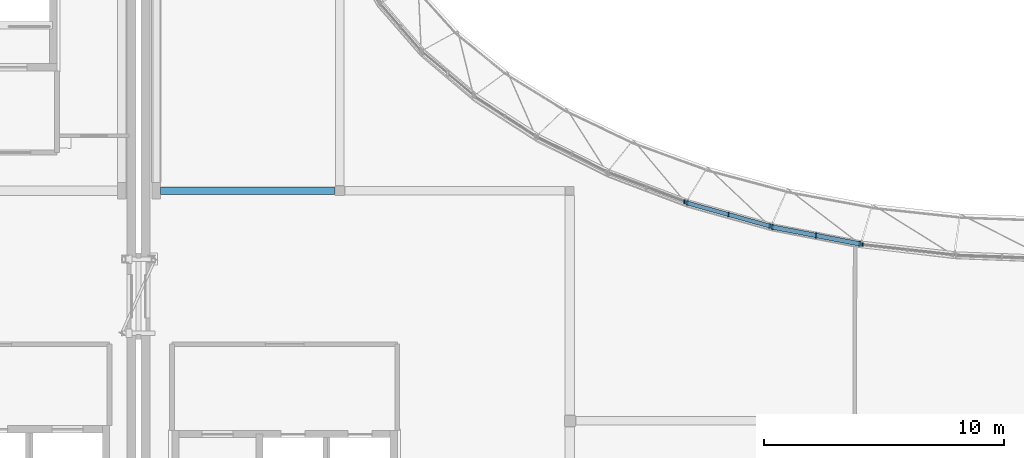
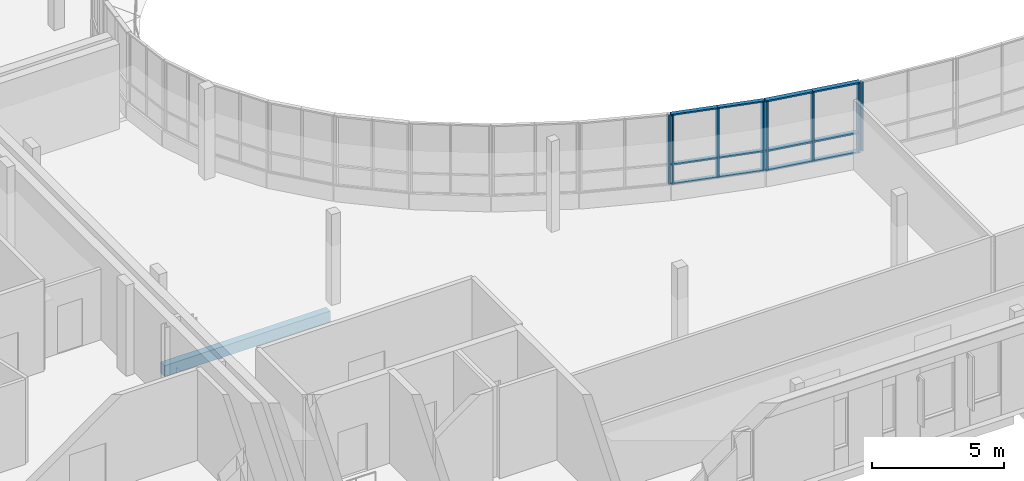
# One storey, part 10 of 73: 20 members, 1 beam, 4 elements without a shape of their own.
"""IFC4 building model written with IfcOpenShell, lengths in metres."""

import ifcopenshell
import ifcopenshell.guid

model = None  # the IFC model being written
_history = None  # IfcOwnerHistory: only IFC2X3 demands one
_inside = {}  # id of a spatial element -> (the spatial element, [elements in it])
_under = {}  # id of a project, library or spatial element -> (it, [spatial elements below it])
_declared = {}  # id of a project -> (the project, [libraries it declares])
_typed = {}  # id of a type object -> (the type object, [elements of that type])
_made_of = {}  # id of a material, layer set ... -> (it, [elements and type objects made of it])


def new_model(schema):
    """Start an empty IFC model of exactly this schema.

    Asked for "IFC4X3", IfcOpenShell would pick the latest addendum, in which some entities
    have other attributes; the version numbers below select the first issue.
    IFC2X3 requires an IfcOwnerHistory on every rooted entity: one is made here for all.
    """
    global model, _history
    if schema == "IFC4X3":
        model = ifcopenshell.file(schema_version=(4, 3, 0, 0))
    else:
        model = ifcopenshell.file(schema=schema)
    _inside.clear()
    _under.clear()
    _declared.clear()
    _typed.clear()
    _made_of.clear()
    _history = None
    if model.schema == "IFC2X3":
        org = make("IfcOrganization", Name="unknown")
        user = make(
            "IfcPersonAndOrganization",
            ThePerson=make("IfcPerson", FamilyName="unknown"),
            TheOrganization=org,
        )
        app = make(
            "IfcApplication",
            ApplicationDeveloper=org,
            Version="unknown",
            ApplicationFullName="unknown",
            ApplicationIdentifier="unknown",
        )
        _history = make(
            "IfcOwnerHistory",
            OwningUser=user,
            OwningApplication=app,
            ChangeAction="ADDED",
            CreationDate=0,
        )
    return model


def make(cls, **values):
    """One entity of the class cls with the attributes given. An attribute that is None is left unset."""
    return model.create_entity(
        cls, **{name: value for name, value in values.items() if value is not None}
    )


def rooted(cls, **values):
    """An entity with a GlobalId (a new one), such as an element, a storey or a relation."""
    return make(cls, GlobalId=ifcopenshell.guid.new(), OwnerHistory=_history, **values)


def si_unit(unit_type, name, prefix=None):
    """IfcSIUnit, for example si_unit("LENGTHUNIT", "METRE", prefix="MILLI")."""
    return make("IfcSIUnit", UnitType=unit_type, Prefix=prefix, Name=name)


def assignment(units):
    """IfcUnitAssignment: the units of a project."""
    return None if units is None else make("IfcUnitAssignment", Units=units)


def point(xyz):
    """IfcCartesianPoint."""
    return None if xyz is None else make("IfcCartesianPoint", Coordinates=xyz)


def direction(xyz):
    """IfcDirection."""
    return None if xyz is None else make("IfcDirection", DirectionRatios=xyz)


def frame(location, z_axis=None, x_axis=None):
    """IfcAxis2Placement3D, a coordinate frame: its origin and axes. An axis left out is left unset."""
    return make(
        "IfcAxis2Placement3D",
        Location=point(location),
        Axis=direction(z_axis),
        RefDirection=direction(x_axis),
    )


def frame_2d(location, x_axis=None):
    """IfcAxis2Placement2D, a coordinate frame in the plane: its origin and x axis."""
    return make(
        "IfcAxis2Placement2D", Location=point(location), RefDirection=direction(x_axis)
    )


def origin():
    """The frame at (0, 0, 0) with its axes left unset."""
    return frame((0.0, 0.0, 0.0))


def origin_2d():
    """The frame at (0, 0) in the plane with its x axis left unset."""
    return frame_2d((0.0, 0.0))


def place(relative_to, where):
    """IfcLocalPlacement: puts the frame where relative to a parent placement (None: the world)."""
    return make(
        "IfcLocalPlacement", PlacementRelTo=relative_to, RelativePlacement=where
    )


def context(
    kind, dimensions, precision=None, world=None, true_north=None, identifier=None
):
    """IfcGeometricRepresentationContext, for example the 3D "Model" context."""
    return make(
        "IfcGeometricRepresentationContext",
        ContextIdentifier=identifier,
        ContextType=kind,
        CoordinateSpaceDimension=dimensions,
        Precision=precision,
        WorldCoordinateSystem=world,
        TrueNorth=true_north,
    )


def subcontext(parent, identifier, kind, view, scale=None):
    """IfcGeometricRepresentationSubContext, for example "Body" below "Model"."""
    return make(
        "IfcGeometricRepresentationSubContext",
        ContextIdentifier=identifier,
        ContextType=kind,
        ParentContext=parent,
        TargetScale=scale,
        TargetView=view,
    )


def project(units=None, contexts=None):
    """IfcProject with its units and contexts."""
    return rooted(
        "IfcProject",
        Name="project",
        RepresentationContexts=contexts,
        UnitsInContext=assignment(units),
    )


def spatial(cls, under=None, at=None, **own):
    """A site, building, storey or space (cls), placed at a placement, below another one or the project."""
    s = rooted(cls, ObjectPlacement=at, **own)
    if under is not None:
        _under.setdefault(under.id(), (under, []))[1].append(s)
    return s


def profile(cls, at=None, kind="AREA", **sizes):
    """A parametric profile (cls). Its sizes go by their IFC names, for example OverallWidth=200.0."""
    return make(cls, ProfileType=kind, Position=at, **sizes)


def rectangle(**sizes):
    """IfcRectangleProfileDef."""
    return profile("IfcRectangleProfileDef", **sizes)


def extrude(swept, where, along, depth):
    """IfcExtrudedAreaSolid: the profile swept, set in the frame where, extruded along a direction by depth."""
    return make(
        "IfcExtrudedAreaSolid",
        SweptArea=swept,
        Position=where,
        ExtrudedDirection=direction(along),
        Depth=depth,
    )


def shape(context_of_items, identifier, shape_type, items):
    """IfcShapeRepresentation: the items that make up one representation, for example the "Body"."""
    return make(
        "IfcShapeRepresentation",
        ContextOfItems=context_of_items,
        RepresentationIdentifier=identifier,
        RepresentationType=shape_type,
        Items=items,
    )


def material(Name=None, Category=None):
    """IfcMaterial."""
    return make("IfcMaterial", Name=Name, Category=Category)


def material_profile(
    of_material, cross_section, Name=None, Category=None, Priority=None
):
    """IfcMaterialProfile: a cross section and its material."""
    return make(
        "IfcMaterialProfile",
        Name=Name,
        Material=of_material,
        Profile=cross_section,
        Priority=Priority,
        Category=Category,
    )


def profile_set(profiles, Name=None, composite=None):
    """IfcMaterialProfileSet."""
    return make(
        "IfcMaterialProfileSet",
        Name=Name,
        MaterialProfiles=profiles,
        CompositeProfile=composite,
    )


def made_of(thing, what):
    """Note that an element or type object is made of a material, layer set ...; save() writes the relation."""
    if what is not None:
        _made_of.setdefault(what.id(), (what, []))[1].append(thing)
    return thing


def type_object(cls, material=None, **own):
    """A type object (cls), such as IfcWallType, which elements share."""
    return made_of(rooted(cls, **own), material)


def element(
    cls,
    number,
    at=None,
    inside=None,
    cuts=None,
    type_object=None,
    material=None,
    context=None,
    identifier="Body",
    shape_type=None,
    held_by="IfcProductDefinitionShape",
    body=None,
    shapes=None,
    **own,
):
    """One element of the class cls, such as IfcWall. Its Tag is "e" and its number.

    at: its placement. inside: the storey or other place that contains it. cuts: it is an
    opening in that element (IfcRelVoidsElement). A single representation is given by context,
    identifier, shape_type and body (its items); several are given by shapes. held_by: the class
    of the entity that holds the representations. save() writes the other relations.
    """
    e = rooted(cls, Tag="e%d" % number, ObjectPlacement=at, **own)
    if body is not None:
        shapes = [shape(context, identifier, shape_type, body)]
    if shapes is not None:
        e.Representation = make(held_by, Representations=shapes)
    if inside is not None:
        _inside.setdefault(inside.id(), (inside, []))[1].append(e)
    if cuts is not None:
        rooted(
            "IfcRelVoidsElement", RelatingBuildingElement=cuts, RelatedOpeningElement=e
        )
    if type_object is not None:
        _typed.setdefault(type_object.id(), (type_object, []))[1].append(e)
    return made_of(e, material)


def aggregate(whole, parts):
    """IfcRelAggregates: a whole, such as a stair, and the parts it consists of."""
    return rooted("IfcRelAggregates", RelatingObject=whole, RelatedObjects=parts)


def save(model, path):
    """Write the relations noted so far, then the file.

    IfcRelAggregates (storeys below a building ...), IfcRelContainedInSpatialStructure (elements
    in a storey), IfcRelDefinesByType, IfcRelAssociatesMaterial and IfcRelDeclares: one each for
    every whole, place, type object, material and project.
    """
    for whole, parts in _under.values():
        aggregate(whole, parts)
    for where, things in _inside.values():
        rooted(
            "IfcRelContainedInSpatialStructure",
            RelatedElements=things,
            RelatingStructure=where,
        )
    for kind, things in _typed.values():
        rooted("IfcRelDefinesByType", RelatedObjects=things, RelatingType=kind)
    for what, things in _made_of.values():
        rooted("IfcRelAssociatesMaterial", RelatedObjects=things, RelatingMaterial=what)
    for by, libraries in _declared.values():
        rooted("IfcRelDeclares", RelatingContext=by, RelatedDefinitions=libraries)
    model.write(path)


model = new_model("IFC4")

# Units and contexts
model_context = context("Model", 3, precision=1e-05, world=origin(), true_north=direction((0.0, 1.0)))
body_context = subcontext(model_context, "Body", "Model", "MODEL_VIEW")
ifc_project = project(units=[si_unit("LENGTHUNIT", "METRE"), si_unit("AREAUNIT", "SQUARE_METRE"), si_unit("VOLUMEUNIT", "CUBIC_METRE"), si_unit("PLANEANGLEUNIT", "RADIAN"), si_unit("MASSUNIT", "GRAM", prefix="KILO")], contexts=[model_context])

# Site, building, storey
site_placement = place(None, origin())
site = spatial("IfcSite", under=ifc_project, at=site_placement, CompositionType="ELEMENT")
building_placement = place(site_placement, origin())
building = spatial("IfcBuilding", under=site, at=building_placement, Name="Mzevani Central Library", CompositionType="ELEMENT")
storey_placement = place(building_placement, frame((0.0, 0.0, 9.60009765625)))
storey = spatial("IfcBuildingStorey", under=building, at=storey_placement, Name="L02", CompositionType="ELEMENT", Elevation=9.60009765625)

# Beam
ifc_material_1 = material(Name="Concrete C35/45", Category="concrete")
ifc_material_profile_1 = material_profile(ifc_material_1, rectangle(XDim=0.300048828125, YDim=0.5, at=origin_2d()), Name="RC B300x500")
ifc_profile_set_1 = profile_set([ifc_material_profile_1], Name="Concrete C35/45")
beam_type = type_object("IfcBeamType", Name="Beam RC 300x500", PredefinedType="BEAM", material=ifc_profile_set_1)
beam_placement = place(storey_placement, frame((46.925048828125, 61.60009765625, -0.510009765625), z_axis=(1.0, 0.0, 0.0), x_axis=(0.0, 1.0, 0.0)))
element("IfcBeam", 1, at=beam_placement, inside=storey, type_object=beam_type, Name="L02 V1 Girder B-01 (100)", PredefinedType="BEAM", context=body_context, shape_type="SweptSolid", body=[
    extrude(rectangle(XDim=0.300048828125, YDim=0.5, at=origin_2d()), origin(), (0.0, 0.0, 1.0), 7.25),
])

# Curtain wall, member
ifc_material_2 = material(Name="Thermally broken aluminium and Low-E triple glazing", Category="aluminium")
curtain_wall_type_1 = type_object("IfcCurtainWallType", Name="Elliptical Court Unitised Curtain Wall", PredefinedType="NOTDEFINED", material=ifc_material_2)
curtain_wall_1_placement = place(storey_placement, origin())
curtain_wall_1 = element("IfcCurtainWall", 2, at=curtain_wall_1_placement, inside=storey, type_object=curtain_wall_type_1, Name="L02 Elliptical Court Curtain Wall 35", PredefinedType="NOTDEFINED")
ifc_material_3 = material(Name="Thermally broken aluminium AW-6060", Category="aluminium")
ifc_material_profile_2 = material_profile(ifc_material_3, rectangle(XDim=0.06005859375, YDim=0.139892578125, at=origin_2d()), Name="ALU M60x140")
ifc_profile_set_2 = profile_set([ifc_material_profile_2], Name="Thermally broken aluminium AW-6060")
member_type_1 = type_object("IfcMemberType", Name="CW Mullion 60x140", PredefinedType="MULLION", material=ifc_profile_set_2)
member_1_placement = place(storey_placement, frame((76.212158203125, 59.354248046875, 0.719970703125), z_axis=(0.0, 0.0, 1.0), x_axis=(1.0, 0.0, 0.0)))
member_1 = element("IfcMember", 3, at=member_1_placement, type_object=member_type_1, Name="L02 Elliptical Court Curtain Wall 35 Mullion 1", PredefinedType="MULLION", context=body_context, shape_type="SweptSolid", body=[
    extrude(rectangle(XDim=0.06005859375, YDim=0.139892578125, at=origin_2d()), origin(), (0.0, 0.0, 1.0), 3.199951171875),
])
aggregate(curtain_wall_1, [member_1])

curtain_wall_2_placement = place(storey_placement, origin())
curtain_wall_2 = element("IfcCurtainWall", 4, at=curtain_wall_2_placement, inside=storey, type_object=curtain_wall_type_1, Name="L02 Elliptical Court Curtain Wall 32", PredefinedType="NOTDEFINED")
ifc_material_profile_3 = material_profile(ifc_material_3, rectangle(XDim=0.06005859375, YDim=0.179931640625, at=origin_2d()), Name="ALU M60x180")
ifc_profile_set_3 = profile_set([ifc_material_profile_3], Name="Thermally broken aluminium AW-6060")
member_type_2 = type_object("IfcMemberType", Name="CW Mullion 60x180", PredefinedType="MULLION", material=ifc_profile_set_3)
member_2_placement = place(storey_placement, frame((68.78564453125, 61.142333984375, 0.719970703125), z_axis=(0.0, 0.0, 1.0), x_axis=(1.0, 0.0, 0.0)))
member_2 = element("IfcMember", 5, at=member_2_placement, type_object=member_type_2, Name="L02 Elliptical Court Curtain Wall 32 Mullion 3", PredefinedType="MULLION", context=body_context, shape_type="SweptSolid", body=[
    extrude(rectangle(XDim=0.06005859375, YDim=0.179931640625, at=origin_2d()), origin(), (0.0, 0.0, 1.0), 3.199951171875),
])
aggregate(curtain_wall_2, [member_2])

# Curtain wall, members
curtain_wall_3_placement = place(storey_placement, origin())
curtain_wall_3 = element("IfcCurtainWall", 6, at=curtain_wall_3_placement, inside=storey, type_object=curtain_wall_type_1, Name="L02 Elliptical Court Curtain Wall 33", PredefinedType="NOTDEFINED")
ifc_material_profile_4 = material_profile(ifc_material_3, rectangle(XDim=0.06494140625, YDim=0.199951171875, at=origin_2d()), Name="ALU M65x200")
ifc_profile_set_4 = profile_set([ifc_material_profile_4], Name="Thermally broken aluminium AW-6060")
member_type_3 = type_object("IfcMemberType", Name="CW Mullion 65x200", PredefinedType="MULLION", material=ifc_profile_set_4)
member_3_placement = place(storey_placement, frame((68.90380859375, 61.08740234375, 0.719970703125), z_axis=(0.0, 0.0, 1.0), x_axis=(1.0, 0.0, 0.0)))
member_3 = element("IfcMember", 7, at=member_3_placement, type_object=member_type_3, Name="L02 Elliptical Court Curtain Wall 33 Mullion 1", PredefinedType="MULLION", context=body_context, shape_type="SweptSolid", body=[
    extrude(rectangle(XDim=0.06494140625, YDim=0.199951171875, at=origin_2d()), origin(), (0.0, 0.0, 1.0), 3.199951171875),
])
member_4_placement = place(storey_placement, frame((70.615234375, 60.60888671875, 0.719970703125), z_axis=(0.0, 0.0, 1.0), x_axis=(1.0, 0.0, 0.0)))
member_4 = element("IfcMember", 8, at=member_4_placement, type_object=member_type_3, Name="L02 Elliptical Court Curtain Wall 33 Mullion 2", PredefinedType="MULLION", context=body_context, shape_type="SweptSolid", body=[
    extrude(rectangle(XDim=0.06494140625, YDim=0.199951171875, at=origin_2d()), origin(), (0.0, 0.0, 1.0), 3.199951171875),
])
member_5_placement = place(storey_placement, frame((72.326904296875, 60.130126953125, 0.719970703125), z_axis=(0.0, 0.0, 1.0), x_axis=(1.0, 0.0, 0.0)))
member_5 = element("IfcMember", 9, at=member_5_placement, type_object=member_type_3, Name="L02 Elliptical Court Curtain Wall 33 Mullion 3", PredefinedType="MULLION", context=body_context, shape_type="SweptSolid", body=[
    extrude(rectangle(XDim=0.06494140625, YDim=0.199951171875, at=origin_2d()), origin(), (0.0, 0.0, 1.0), 3.199951171875),
])

curtain_wall_type_2 = type_object("IfcCurtainWallType", Name="Reading Hall Northlight Curtain Wall", PredefinedType="NOTDEFINED", material=ifc_material_2)
curtain_wall_4_placement = place(storey_placement, origin())
curtain_wall_4 = element("IfcCurtainWall", 10, at=curtain_wall_4_placement, inside=storey, type_object=curtain_wall_type_2, Name="L02 Elliptical Court Curtain Wall 34", PredefinedType="NOTDEFINED")
ifc_material_profile_5 = material_profile(ifc_material_3, rectangle(XDim=0.070068359375, YDim=0.219970703125, at=origin_2d()), Name="ALU M70x220")
ifc_profile_set_5 = profile_set([ifc_material_profile_5], Name="Thermally broken aluminium AW-6060")
member_type_4 = type_object("IfcMemberType", Name="CW Mullion 70x220", PredefinedType="MULLION", material=ifc_profile_set_5)
member_6_placement = place(storey_placement, frame((72.45556640625, 60.08447265625, 0.719970703125), z_axis=(0.0, 0.0, 1.0), x_axis=(1.0, 0.0, 0.0)))
member_6 = element("IfcMember", 11, at=member_6_placement, type_object=member_type_4, Name="L02 Elliptical Court Curtain Wall 34 Mullion 1", PredefinedType="MULLION", context=body_context, shape_type="SweptSolid", body=[
    extrude(rectangle(XDim=0.070068359375, YDim=0.219970703125, at=origin_2d()), origin(), (0.0, 0.0, 1.0), 3.199951171875),
])
member_7_placement = place(storey_placement, frame((74.264404296875, 59.736328125, 0.719970703125), z_axis=(0.0, 0.0, 1.0), x_axis=(1.0, 0.0, 0.0)))
member_7 = element("IfcMember", 12, at=member_7_placement, type_object=member_type_4, Name="L02 Elliptical Court Curtain Wall 34 Mullion 2", PredefinedType="MULLION", context=body_context, shape_type="SweptSolid", body=[
    extrude(rectangle(XDim=0.070068359375, YDim=0.219970703125, at=origin_2d()), origin(), (0.0, 0.0, 1.0), 3.199951171875),
])
member_8_placement = place(storey_placement, frame((76.0732421875, 59.387939453125, 0.719970703125), z_axis=(0.0, 0.0, 1.0), x_axis=(1.0, 0.0, 0.0)))
member_8 = element("IfcMember", 13, at=member_8_placement, type_object=member_type_4, Name="L02 Elliptical Court Curtain Wall 34 Mullion 3", PredefinedType="MULLION", context=body_context, shape_type="SweptSolid", body=[
    extrude(rectangle(XDim=0.070068359375, YDim=0.219970703125, at=origin_2d()), origin(), (0.0, 0.0, 1.0), 3.199951171875),
])

# Member
ifc_material_profile_6 = material_profile(ifc_material_3, rectangle(XDim=0.169921875, YDim=0.06494140625, at=origin_2d()), Name="ALU T65x170")
ifc_profile_set_6 = profile_set([ifc_material_profile_6], Name="Thermally broken aluminium AW-6060")
member_type_5 = type_object("IfcMemberType", Name="CW Transom 65x170", PredefinedType="USERDEFINED", material=ifc_profile_set_6)
member_9_placement = place(storey_placement, frame((68.855712890625, 61.100830078125, 0.719970703125), z_axis=(0.963066650154, -0.269263119198, 0.0), x_axis=(0.269263119198, 0.963066650154, 0.0)))
member_9 = element("IfcMember", 14, at=member_9_placement, type_object=member_type_5, Name="L02 Elliptical Court Curtain Wall 33 Transom 1", ObjectType="TRANSOM", PredefinedType="USERDEFINED", context=body_context, shape_type="SweptSolid", body=[
    extrude(rectangle(XDim=0.169921875, YDim=0.06494140625, at=origin_2d()), origin(), (0.0, 0.0, 1.0), 1.826904296875),
])

member_10_placement = place(storey_placement, frame((68.855712890625, 61.100830078125, 1.619873046875), z_axis=(0.963066650154, -0.269263119198, 0.0), x_axis=(0.269263119198, 0.963066650154, 0.0)))
member_10 = element("IfcMember", 15, at=member_10_placement, type_object=member_type_5, Name="L02 Elliptical Court Curtain Wall 33 Transom 2", ObjectType="TRANSOM", PredefinedType="USERDEFINED", context=body_context, shape_type="SweptSolid", body=[
    extrude(rectangle(XDim=0.169921875, YDim=0.06494140625, at=origin_2d()), origin(), (0.0, 0.0, 1.0), 1.826904296875),
])

member_11_placement = place(storey_placement, frame((68.855712890625, 61.100830078125, 3.919921875), z_axis=(0.963066650154, -0.269263119198, 0.0), x_axis=(0.269263119198, 0.963066650154, 0.0)))
member_11 = element("IfcMember", 16, at=member_11_placement, type_object=member_type_5, Name="L02 Elliptical Court Curtain Wall 33 Transom 3", ObjectType="TRANSOM", PredefinedType="USERDEFINED", context=body_context, shape_type="SweptSolid", body=[
    extrude(rectangle(XDim=0.169921875, YDim=0.06494140625, at=origin_2d()), origin(), (0.0, 0.0, 1.0), 1.826904296875),
])

member_12_placement = place(storey_placement, frame((70.615234375, 60.60888671875, 0.719970703125), z_axis=(0.963041686068, -0.269352391664, 0.0), x_axis=(0.269352391664, 0.963041686068, 0.0)))
member_12 = element("IfcMember", 17, at=member_12_placement, type_object=member_type_5, Name="L02 Elliptical Court Curtain Wall 33 Transom 4", ObjectType="TRANSOM", PredefinedType="USERDEFINED", context=body_context, shape_type="SweptSolid", body=[
    extrude(rectangle(XDim=0.169921875, YDim=0.06494140625, at=origin_2d()), origin(), (0.0, 0.0, 1.0), 1.827392578125),
])

member_13_placement = place(storey_placement, frame((70.615234375, 60.60888671875, 1.619873046875), z_axis=(0.963041686068, -0.269352391664, 0.0), x_axis=(0.269352391664, 0.963041686068, 0.0)))
member_13 = element("IfcMember", 18, at=member_13_placement, type_object=member_type_5, Name="L02 Elliptical Court Curtain Wall 33 Transom 5", ObjectType="TRANSOM", PredefinedType="USERDEFINED", context=body_context, shape_type="SweptSolid", body=[
    extrude(rectangle(XDim=0.169921875, YDim=0.06494140625, at=origin_2d()), origin(), (0.0, 0.0, 1.0), 1.827392578125),
])

member_14_placement = place(storey_placement, frame((70.615234375, 60.60888671875, 3.919921875), z_axis=(0.963041686068, -0.269352391664, 0.0), x_axis=(0.269352391664, 0.963041686068, 0.0)))
member_14 = element("IfcMember", 19, at=member_14_placement, type_object=member_type_5, Name="L02 Elliptical Court Curtain Wall 33 Transom 6", ObjectType="TRANSOM", PredefinedType="USERDEFINED", context=body_context, shape_type="SweptSolid", body=[
    extrude(rectangle(XDim=0.169921875, YDim=0.06494140625, at=origin_2d()), origin(), (0.0, 0.0, 1.0), 1.827392578125),
])

aggregate(curtain_wall_3, [member_3, member_4, member_5, member_9, member_10, member_11, member_12, member_13, member_14])

ifc_material_profile_7 = material_profile(ifc_material_3, rectangle(XDim=0.18994140625, YDim=0.070068359375, at=origin_2d()), Name="ALU T70x190")
ifc_profile_set_7 = profile_set([ifc_material_profile_7], Name="Thermally broken aluminium AW-6060")
member_type_6 = type_object("IfcMemberType", Name="CW Transom 70x190", PredefinedType="USERDEFINED", material=ifc_profile_set_7)
member_15_placement = place(storey_placement, frame((72.406494140625, 60.093994140625, 0.719970703125), z_axis=(0.981969613273, -0.189038828311, 0.0), x_axis=(0.189038828311, 0.981969613273, 0.0)))
member_15 = element("IfcMember", 20, at=member_15_placement, type_object=member_type_6, Name="L02 Elliptical Court Curtain Wall 34 Transom 1", ObjectType="TRANSOM", PredefinedType="USERDEFINED", context=body_context, shape_type="SweptSolid", body=[
    extrude(rectangle(XDim=0.18994140625, YDim=0.070068359375, at=origin_2d()), origin(), (0.0, 0.0, 1.0), 1.89208984375),
])

member_16_placement = place(storey_placement, frame((72.406494140625, 60.093994140625, 1.619873046875), z_axis=(0.981969613273, -0.189038828311, 0.0), x_axis=(0.189038828311, 0.981969613273, 0.0)))
member_16 = element("IfcMember", 21, at=member_16_placement, type_object=member_type_6, Name="L02 Elliptical Court Curtain Wall 34 Transom 2", ObjectType="TRANSOM", PredefinedType="USERDEFINED", context=body_context, shape_type="SweptSolid", body=[
    extrude(rectangle(XDim=0.18994140625, YDim=0.070068359375, at=origin_2d()), origin(), (0.0, 0.0, 1.0), 1.89208984375),
])

member_17_placement = place(storey_placement, frame((72.406494140625, 60.093994140625, 3.919921875), z_axis=(0.981969613273, -0.189038828311, 0.0), x_axis=(0.189038828311, 0.981969613273, 0.0)))
member_17 = element("IfcMember", 22, at=member_17_placement, type_object=member_type_6, Name="L02 Elliptical Court Curtain Wall 34 Transom 3", ObjectType="TRANSOM", PredefinedType="USERDEFINED", context=body_context, shape_type="SweptSolid", body=[
    extrude(rectangle(XDim=0.18994140625, YDim=0.070068359375, at=origin_2d()), origin(), (0.0, 0.0, 1.0), 1.89208984375),
])

member_18_placement = place(storey_placement, frame((74.264404296875, 59.736328125, 0.719970703125), z_axis=(0.981969613273, -0.189038828311, 0.0), x_axis=(0.189038828311, 0.981969613273, 0.0)))
member_18 = element("IfcMember", 23, at=member_18_placement, type_object=member_type_6, Name="L02 Elliptical Court Curtain Wall 34 Transom 4", ObjectType="TRANSOM", PredefinedType="USERDEFINED", context=body_context, shape_type="SweptSolid", body=[
    extrude(rectangle(XDim=0.18994140625, YDim=0.070068359375, at=origin_2d()), origin(), (0.0, 0.0, 1.0), 1.89208984375),
])

member_19_placement = place(storey_placement, frame((74.264404296875, 59.736328125, 1.619873046875), z_axis=(0.981969613273, -0.189038828311, 0.0), x_axis=(0.189038828311, 0.981969613273, 0.0)))
member_19 = element("IfcMember", 24, at=member_19_placement, type_object=member_type_6, Name="L02 Elliptical Court Curtain Wall 34 Transom 5", ObjectType="TRANSOM", PredefinedType="USERDEFINED", context=body_context, shape_type="SweptSolid", body=[
    extrude(rectangle(XDim=0.18994140625, YDim=0.070068359375, at=origin_2d()), origin(), (0.0, 0.0, 1.0), 1.89208984375),
])

member_20_placement = place(storey_placement, frame((74.264404296875, 59.736328125, 3.919921875), z_axis=(0.981969613273, -0.189038828311, 0.0), x_axis=(0.189038828311, 0.981969613273, 0.0)))
member_20 = element("IfcMember", 25, at=member_20_placement, type_object=member_type_6, Name="L02 Elliptical Court Curtain Wall 34 Transom 6", ObjectType="TRANSOM", PredefinedType="USERDEFINED", context=body_context, shape_type="SweptSolid", body=[
    extrude(rectangle(XDim=0.18994140625, YDim=0.070068359375, at=origin_2d()), origin(), (0.0, 0.0, 1.0), 1.89208984375),
])

aggregate(curtain_wall_4, [member_6, member_7, member_8, member_15, member_16, member_17, member_18, member_19, member_20])

save(model, "model.ifc")
